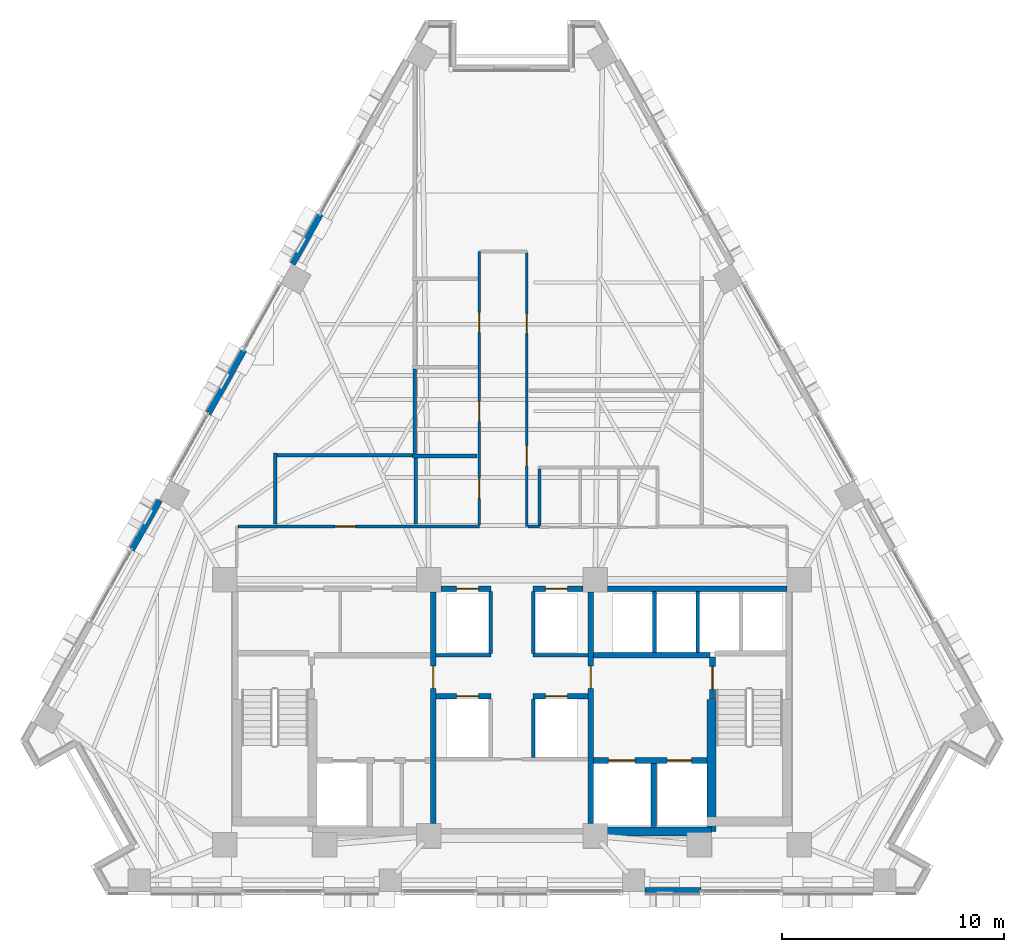
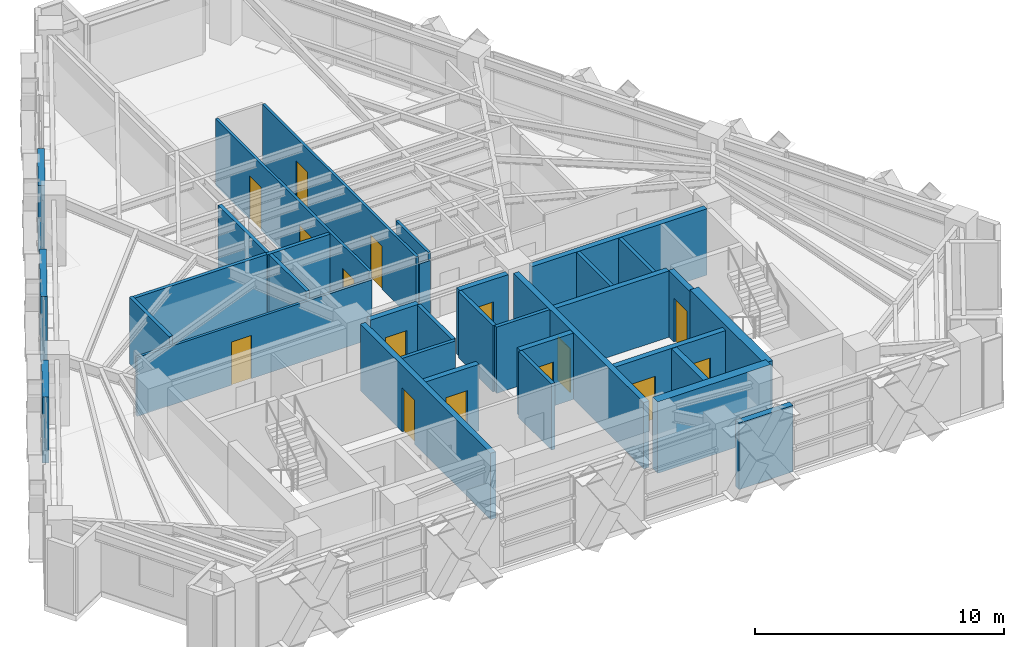
# One storey, part 8 of 14: 34 walls, 15 doors, 15 openings.
"""IFC4 building model written with IfcOpenShell, lengths in metres."""

import ifcopenshell
import ifcopenshell.guid

model = None  # the IFC model being written
_history = None  # IfcOwnerHistory: only IFC2X3 demands one
_inside = {}  # id of a spatial element -> (the spatial element, [elements in it])
_under = {}  # id of a project, library or spatial element -> (it, [spatial elements below it])
_declared = {}  # id of a project -> (the project, [libraries it declares])
_typed = {}  # id of a type object -> (the type object, [elements of that type])
_made_of = {}  # id of a material, layer set ... -> (it, [elements and type objects made of it])


def new_model(schema):
    """Start an empty IFC model of exactly this schema.

    Asked for "IFC4X3", IfcOpenShell would pick the latest addendum, in which some entities
    have other attributes; the version numbers below select the first issue.
    IFC2X3 requires an IfcOwnerHistory on every rooted entity: one is made here for all.
    """
    global model, _history
    if schema == "IFC4X3":
        model = ifcopenshell.file(schema_version=(4, 3, 0, 0))
    else:
        model = ifcopenshell.file(schema=schema)
    _inside.clear()
    _under.clear()
    _declared.clear()
    _typed.clear()
    _made_of.clear()
    _history = None
    if model.schema == "IFC2X3":
        org = make("IfcOrganization", Name="unknown")
        user = make(
            "IfcPersonAndOrganization",
            ThePerson=make("IfcPerson", FamilyName="unknown"),
            TheOrganization=org,
        )
        app = make(
            "IfcApplication",
            ApplicationDeveloper=org,
            Version="unknown",
            ApplicationFullName="unknown",
            ApplicationIdentifier="unknown",
        )
        _history = make(
            "IfcOwnerHistory",
            OwningUser=user,
            OwningApplication=app,
            ChangeAction="ADDED",
            CreationDate=0,
        )
    return model


def make(cls, **values):
    """One entity of the class cls with the attributes given. An attribute that is None is left unset."""
    return model.create_entity(
        cls, **{name: value for name, value in values.items() if value is not None}
    )


def rooted(cls, **values):
    """An entity with a GlobalId (a new one), such as an element, a storey or a relation."""
    return make(cls, GlobalId=ifcopenshell.guid.new(), OwnerHistory=_history, **values)


def si_unit(unit_type, name, prefix=None):
    """IfcSIUnit, for example si_unit("LENGTHUNIT", "METRE", prefix="MILLI")."""
    return make("IfcSIUnit", UnitType=unit_type, Prefix=prefix, Name=name)


def assignment(units):
    """IfcUnitAssignment: the units of a project."""
    return None if units is None else make("IfcUnitAssignment", Units=units)


def point(xyz):
    """IfcCartesianPoint."""
    return None if xyz is None else make("IfcCartesianPoint", Coordinates=xyz)


def direction(xyz):
    """IfcDirection."""
    return None if xyz is None else make("IfcDirection", DirectionRatios=xyz)


def frame(location, z_axis=None, x_axis=None):
    """IfcAxis2Placement3D, a coordinate frame: its origin and axes. An axis left out is left unset."""
    return make(
        "IfcAxis2Placement3D",
        Location=point(location),
        Axis=direction(z_axis),
        RefDirection=direction(x_axis),
    )


def frame_2d(location, x_axis=None):
    """IfcAxis2Placement2D, a coordinate frame in the plane: its origin and x axis."""
    return make(
        "IfcAxis2Placement2D", Location=point(location), RefDirection=direction(x_axis)
    )


def origin():
    """The frame at (0, 0, 0) with its axes left unset."""
    return frame((0.0, 0.0, 0.0))


def place(relative_to, where):
    """IfcLocalPlacement: puts the frame where relative to a parent placement (None: the world)."""
    return make(
        "IfcLocalPlacement", PlacementRelTo=relative_to, RelativePlacement=where
    )


def context(
    kind, dimensions, precision=None, world=None, true_north=None, identifier=None
):
    """IfcGeometricRepresentationContext, for example the 3D "Model" context."""
    return make(
        "IfcGeometricRepresentationContext",
        ContextIdentifier=identifier,
        ContextType=kind,
        CoordinateSpaceDimension=dimensions,
        Precision=precision,
        WorldCoordinateSystem=world,
        TrueNorth=true_north,
    )


def subcontext(parent, identifier, kind, view, scale=None):
    """IfcGeometricRepresentationSubContext, for example "Body" below "Model"."""
    return make(
        "IfcGeometricRepresentationSubContext",
        ContextIdentifier=identifier,
        ContextType=kind,
        ParentContext=parent,
        TargetScale=scale,
        TargetView=view,
    )


def project(units=None, contexts=None):
    """IfcProject with its units and contexts."""
    return rooted(
        "IfcProject",
        Name="project",
        RepresentationContexts=contexts,
        UnitsInContext=assignment(units),
    )


def spatial(cls, under=None, at=None, **own):
    """A site, building, storey or space (cls), placed at a placement, below another one or the project."""
    s = rooted(cls, ObjectPlacement=at, **own)
    if under is not None:
        _under.setdefault(under.id(), (under, []))[1].append(s)
    return s


def profile(cls, at=None, kind="AREA", **sizes):
    """A parametric profile (cls). Its sizes go by their IFC names, for example OverallWidth=200.0."""
    return make(cls, ProfileType=kind, Position=at, **sizes)


def rectangle(**sizes):
    """IfcRectangleProfileDef."""
    return profile("IfcRectangleProfileDef", **sizes)


def extrude(swept, where, along, depth):
    """IfcExtrudedAreaSolid: the profile swept, set in the frame where, extruded along a direction by depth."""
    return make(
        "IfcExtrudedAreaSolid",
        SweptArea=swept,
        Position=where,
        ExtrudedDirection=direction(along),
        Depth=depth,
    )


def shape(context_of_items, identifier, shape_type, items):
    """IfcShapeRepresentation: the items that make up one representation, for example the "Body"."""
    return make(
        "IfcShapeRepresentation",
        ContextOfItems=context_of_items,
        RepresentationIdentifier=identifier,
        RepresentationType=shape_type,
        Items=items,
    )


def material(Name=None, Category=None):
    """IfcMaterial."""
    return make("IfcMaterial", Name=Name, Category=Category)


def layer(
    of_material, thickness, ventilated=None, Name=None, Category=None, Priority=None
):
    """IfcMaterialLayer: one layer of a wall or slab, of a material (None: an air gap)."""
    return make(
        "IfcMaterialLayer",
        Material=of_material,
        LayerThickness=thickness,
        IsVentilated=ventilated,
        Name=Name,
        Category=Category,
        Priority=Priority,
    )


def layer_set(layers, Name=None):
    """IfcMaterialLayerSet."""
    return make("IfcMaterialLayerSet", MaterialLayers=layers, LayerSetName=Name)


def made_of(thing, what):
    """Note that an element or type object is made of a material, layer set ...; save() writes the relation."""
    if what is not None:
        _made_of.setdefault(what.id(), (what, []))[1].append(thing)
    return thing


def type_object(cls, material=None, **own):
    """A type object (cls), such as IfcWallType, which elements share."""
    return made_of(rooted(cls, **own), material)


def element(
    cls,
    number,
    at=None,
    inside=None,
    cuts=None,
    type_object=None,
    material=None,
    context=None,
    identifier="Body",
    shape_type=None,
    held_by="IfcProductDefinitionShape",
    body=None,
    shapes=None,
    **own,
):
    """One element of the class cls, such as IfcWall. Its Tag is "e" and its number.

    at: its placement. inside: the storey or other place that contains it. cuts: it is an
    opening in that element (IfcRelVoidsElement). A single representation is given by context,
    identifier, shape_type and body (its items); several are given by shapes. held_by: the class
    of the entity that holds the representations. save() writes the other relations.
    """
    e = rooted(cls, Tag="e%d" % number, ObjectPlacement=at, **own)
    if body is not None:
        shapes = [shape(context, identifier, shape_type, body)]
    if shapes is not None:
        e.Representation = make(held_by, Representations=shapes)
    if inside is not None:
        _inside.setdefault(inside.id(), (inside, []))[1].append(e)
    if cuts is not None:
        rooted(
            "IfcRelVoidsElement", RelatingBuildingElement=cuts, RelatedOpeningElement=e
        )
    if type_object is not None:
        _typed.setdefault(type_object.id(), (type_object, []))[1].append(e)
    return made_of(e, material)


def fill(opening, filler):
    """IfcRelFillsElement: the door or window that sits in an opening."""
    return rooted(
        "IfcRelFillsElement",
        RelatingOpeningElement=opening,
        RelatedBuildingElement=filler,
    )


def aggregate(whole, parts):
    """IfcRelAggregates: a whole, such as a stair, and the parts it consists of."""
    return rooted("IfcRelAggregates", RelatingObject=whole, RelatedObjects=parts)


def save(model, path):
    """Write the relations noted so far, then the file.

    IfcRelAggregates (storeys below a building ...), IfcRelContainedInSpatialStructure (elements
    in a storey), IfcRelDefinesByType, IfcRelAssociatesMaterial and IfcRelDeclares: one each for
    every whole, place, type object, material and project.
    """
    for whole, parts in _under.values():
        aggregate(whole, parts)
    for where, things in _inside.values():
        rooted(
            "IfcRelContainedInSpatialStructure",
            RelatedElements=things,
            RelatingStructure=where,
        )
    for kind, things in _typed.values():
        rooted("IfcRelDefinesByType", RelatedObjects=things, RelatingType=kind)
    for what, things in _made_of.values():
        rooted("IfcRelAssociatesMaterial", RelatedObjects=things, RelatingMaterial=what)
    for by, libraries in _declared.values():
        rooted("IfcRelDeclares", RelatingContext=by, RelatedDefinitions=libraries)
    model.write(path)


model = new_model("IFC4")

# Units and contexts
model_context = context("Model", 3, precision=1e-05, world=origin(), true_north=direction((0.0, 1.0)))
body_context = subcontext(model_context, "Body", "Model", "MODEL_VIEW")
ifc_project = project(units=[si_unit("LENGTHUNIT", "METRE"), si_unit("AREAUNIT", "SQUARE_METRE"), si_unit("VOLUMEUNIT", "CUBIC_METRE"), si_unit("PLANEANGLEUNIT", "RADIAN"), si_unit("MASSUNIT", "GRAM", prefix="KILO")], contexts=[model_context])

# Site, building, storey
site_placement = place(None, origin())
site = spatial("IfcSite", under=ifc_project, at=site_placement, CompositionType="ELEMENT")
building_placement = place(site_placement, origin())
building = spatial("IfcBuilding", under=site, at=building_placement, Name="Quenlor Broadcast Tower", CompositionType="ELEMENT")
storey_placement = place(building_placement, frame((0.0, 0.0, 144.0)))
storey = spatial("IfcBuildingStorey", under=building, at=storey_placement, Name="L39", CompositionType="ELEMENT", Elevation=144.0)

# Walls
ifc_material_1 = material(Name="Concrete C50/60", Category="concrete")
ifc_layer_1 = layer(ifc_material_1, 0.39990234375)
ifc_layer_set_1 = layer_set([ifc_layer_1], Name="Core Concrete C50/60 Shear Wall 400")
wall_type_1 = type_object("IfcWallType", Name="Core Concrete C50/60 Shear Wall 400", PredefinedType="SHEAR", material=ifc_layer_set_1)
wall_1_placement = place(storey_placement, frame((3.75, -16.14990234375, 0.0), z_axis=(0.0, 0.0, 1.0), x_axis=(1.0, 0.0, 0.0)))
element("IfcWall", 1, at=wall_1_placement, inside=storey, type_object=wall_type_1, Name="L39 Core Shear Wall WS-E1", PredefinedType="SHEAR", context=body_context, shape_type="SweptSolid", body=[
    extrude(rectangle(XDim=5.25, YDim=0.39990234375, at=frame_2d((2.625, 0.0))), origin(), (0.0, 0.0, 1.0), 3.5),
])
wall_2_placement = place(storey_placement, frame((9.0, -16.14990234375, 0.0), z_axis=(0.0, 0.0, 1.0), x_axis=(0.0, 1.0, 0.0)))
element("IfcWall", 2, at=wall_2_placement, inside=storey, type_object=wall_type_1, Name="L39 Core Shear Wall WI-E", PredefinedType="SHEAR", context=body_context, shape_type="SweptSolid", body=[
    extrude(rectangle(XDim=5.949951171875, YDim=0.39990234375, at=frame_2d((2.97509765625, 0.0))), origin(), (0.0, 0.0, 1.0), 3.5),
])

# Wall, opening, door
ifc_material_2 = material(Name="Concrete C40/50", Category="concrete")
ifc_layer_2 = layer(ifc_material_2, 0.25)
ifc_layer_set_2 = layer_set([ifc_layer_2], Name="Fire Rated Concrete C40/50 Core Wall 250")
wall_type_2 = type_object("IfcWallType", Name="Fire Rated Concrete C40/50 Core Wall 250", PredefinedType="PARTITIONING", material=ifc_layer_set_2)
wall_3_placement = place(storey_placement, frame((9.0400390625, -10.179931640625, 0.0), z_axis=(0.0, 0.0, 1.0), x_axis=(0.0, 1.0, 0.0)))
wall_3 = element("IfcWall", 3, at=wall_3_placement, inside=storey, type_object=wall_type_2, Name="L39 Interior Wall CW-ST2-DR", PredefinedType="PARTITIONING", context=body_context, shape_type="SweptSolid", body=[
    extrude(rectangle(XDim=1.89990234375, YDim=0.25, at=frame_2d((0.949951171875, 0.0))), origin(), (0.0, 0.0, 1.0), 3.25),
])
opening_1_placement = place(wall_3_placement, frame((0.419921875, 0.0, 0.0)))
opening_1 = element("IfcOpeningElement", 4, at=opening_1_placement, cuts=wall_3, Name="Opening FD-1", PredefinedType="OPENING", context=body_context, shape_type="SweptSolid", body=[
    extrude(rectangle(XDim=1.050048828125, YDim=2.14990234375, at=frame_2d((0.52490234375, 1.074951171875))), frame((0.0, 0.135009765625, 0.0), z_axis=(0.0, -1.0, 0.0), x_axis=(1.0, 0.0, 0.0)), (0.0, 0.0, 1.0), 0.27001953125),
])
ifc_material_3 = material(Name="Fire Rated Steel Door Leaf", Category="steel")
door_type_1 = type_object("IfcDoorType", Name="Fire Isolated Stair Door 1050x2150", OperationType="NOTDEFINED", PredefinedType="DOOR", material=ifc_material_3)
door_1_placement = place(opening_1_placement, origin())
door_1 = element("IfcDoor", 5, at=door_1_placement, inside=storey, type_object=door_type_1, Name="L39 Door DR-ST2", OperationType="SINGLE_SWING_RIGHT", OverallHeight=2.14990234375, OverallWidth=1.050048828125, PredefinedType="DOOR", context=body_context, shape_type="SweptSolid", body=[
    extrude(rectangle(XDim=1.050048828125, YDim=2.14990234375, at=frame_2d((0.52490234375, 1.074951171875))), frame((0.0, 0.02490234375, 0.0), z_axis=(0.0, -1.0, 0.0), x_axis=(1.0, 0.0, 0.0)), (0.0, 0.0, 1.0), 0.050048828125),
])
fill(opening_1, door_1)

# Wall, openings, doors
wall_4_placement = place(storey_placement, frame((3.679931640625, -12.949951171875, 0.0), z_axis=(0.0, 0.0, 1.0), x_axis=(1.0, 0.0, 0.0)))
wall_4 = element("IfcWall", 6, at=wall_4_placement, inside=storey, type_object=wall_type_2, Name="L39 Interior Wall CW-FFE-S", PredefinedType="PARTITIONING", context=body_context, shape_type="SweptSolid", body=[
    extrude(rectangle(XDim=5.1181640625, YDim=0.25, at=frame_2d((2.55908203125, 0.0))), origin(), (0.0, 0.0, 1.0), 3.25),
])
opening_2_placement = place(wall_4_placement, frame((3.320068359375, 0.0, 0.0)))
opening_2 = element("IfcOpeningElement", 7, at=opening_2_placement, cuts=wall_4, Name="Opening LD-FFL-2", PredefinedType="OPENING", context=body_context, shape_type="SweptSolid", body=[
    extrude(rectangle(XDim=1.10009765625, YDim=2.14990234375, at=frame_2d((0.550048828125, 1.074951171875))), frame((0.0, 0.135009765625, 0.0), z_axis=(0.0, -1.0, 0.0), x_axis=(1.0, 0.0, 0.0)), (0.0, 0.0, 1.0), 0.27001953125),
])
opening_3_placement = place(wall_4_placement, frame((0.669921875, 0.0, 0.0)))
opening_3 = element("IfcOpeningElement", 8, at=opening_3_placement, cuts=wall_4, Name="Opening LD-SVL-1", PredefinedType="OPENING", context=body_context, shape_type="SweptSolid", body=[
    extrude(rectangle(XDim=1.199951171875, YDim=2.14990234375, at=frame_2d((0.60009765625, 1.074951171875))), frame((0.0, 0.135009765625, 0.0), z_axis=(0.0, -1.0, 0.0), x_axis=(1.0, 0.0, 0.0)), (0.0, 0.0, 1.0), 0.27001953125),
])
ifc_material_4 = material(Name="Brushed Stainless Steel", Category="steel")
door_type_2 = type_object("IfcDoorType", Name="Emergency Lift Sliding Landing Door 1100x2150", OperationType="NOTDEFINED", PredefinedType="DOOR", material=ifc_material_4)
door_2_placement = place(opening_2_placement, origin())
door_2 = element("IfcDoor", 9, at=door_2_placement, inside=storey, type_object=door_type_2, Name="L39 Door LD-FFL-2", OperationType="SLIDING_TO_RIGHT", OverallHeight=2.14990234375, OverallWidth=1.10009765625, PredefinedType="DOOR", context=body_context, shape_type="SweptSolid", body=[
    extrude(rectangle(XDim=1.10009765625, YDim=2.14990234375, at=frame_2d((0.550048828125, 1.074951171875))), frame((0.0, 0.02490234375, 0.0), z_axis=(0.0, -1.0, 0.0), x_axis=(1.0, 0.0, 0.0)), (0.0, 0.0, 1.0), 0.050048828125),
])
fill(opening_2, door_2)
ifc_material_5 = material(Name="Brushed Stainless Steel", Category="steel")
door_type_3 = type_object("IfcDoorType", Name="Goods Lift Sliding Landing Door 1200x2150", OperationType="NOTDEFINED", PredefinedType="DOOR", material=ifc_material_5)
door_3_placement = place(opening_3_placement, origin())
door_3 = element("IfcDoor", 10, at=door_3_placement, inside=storey, type_object=door_type_3, Name="L39 Door LD-SVL-1", OperationType="SLIDING_TO_LEFT", OverallHeight=2.14990234375, OverallWidth=1.199951171875, PredefinedType="DOOR", context=body_context, shape_type="SweptSolid", body=[
    extrude(rectangle(XDim=1.199951171875, YDim=2.14990234375, at=frame_2d((0.60009765625, 1.074951171875))), frame((0.0, 0.02490234375, 0.0), z_axis=(0.0, -1.0, 0.0), x_axis=(1.0, 0.0, 0.0)), (0.0, 0.0, 1.0), 0.050048828125),
])
fill(opening_3, door_3)

# Walls
wall_5_placement = place(storey_placement, frame((6.39990234375, -15.919921875, 0.0), z_axis=(0.0, 0.0, 1.0), x_axis=(0.0, 1.0, 0.0)))
element("IfcWall", 11, at=wall_5_placement, inside=storey, type_object=wall_type_2, Name="L39 Interior Wall CW-SV1-E", PredefinedType="PARTITIONING", context=body_context, shape_type="SweptSolid", body=[
    extrude(rectangle(XDim=2.829833984375, YDim=0.25, at=frame_2d((1.4150390625, 0.0))), origin(), (0.0, 0.0, 1.0), 3.25),
])
wall_6_placement = place(storey_placement, frame((3.679931640625, -8.199951171875, 0.0), z_axis=(0.0, 0.0, 1.0), x_axis=(1.0, 0.0, 0.0)))
element("IfcWall", 12, at=wall_6_placement, inside=storey, type_object=wall_type_2, Name="L39 Interior Wall CW-FFE-N", PredefinedType="PARTITIONING", context=body_context, shape_type="SweptSolid", body=[
    extrude(rectangle(XDim=5.239990234375, YDim=0.25, at=frame_2d((2.6201171875, 0.0))), origin(), (0.0, 0.0, 1.0), 3.25),
])

# Wall, opening, door
wall_7_placement = place(storey_placement, frame((-3.550048828125, -15.798095703125, 0.0), z_axis=(0.0, 0.0, 1.0), x_axis=(0.0, 1.0, 0.0)))
wall_7 = element("IfcWall", 13, at=wall_7_placement, inside=storey, type_object=wall_type_2, Name="L39 Interior Wall CW-FFW-E", PredefinedType="PARTITIONING", context=body_context, shape_type="SweptSolid", body=[
    extrude(rectangle(XDim=10.446044921875, YDim=0.25, at=frame_2d((5.22314453125, 0.0))), origin(), (0.0, 0.0, 1.0), 3.25),
])
opening_4_placement = place(wall_7_placement, frame((6.097900390625, 0.0, 0.0)))
opening_4 = element("IfcOpeningElement", 14, at=opening_4_placement, cuts=wall_7, Name="Opening FD-2", PredefinedType="OPENING", context=body_context, shape_type="SweptSolid", body=[
    extrude(rectangle(XDim=1.0, YDim=2.14990234375, at=frame_2d((0.5, 1.074951171875))), frame((0.0, 0.135009765625, 0.0), z_axis=(0.0, -1.0, 0.0), x_axis=(1.0, 0.0, 0.0)), (0.0, 0.0, 1.0), 0.27001953125),
])
ifc_material_6 = material(Name="Fire Rated Glazed Steel Door", Category="steel")
door_type_4 = type_object("IfcDoorType", Name="Firefighting Lobby Smoke Door 1000x2150", OperationType="NOTDEFINED", PredefinedType="DOOR", material=ifc_material_6)
door_4_placement = place(opening_4_placement, origin())
door_4 = element("IfcDoor", 15, at=door_4_placement, inside=storey, type_object=door_type_4, Name="L39 Door DR-FFLW", OperationType="SINGLE_SWING_RIGHT", OverallHeight=2.14990234375, OverallWidth=1.0, PredefinedType="DOOR", context=body_context, shape_type="SweptSolid", body=[
    extrude(rectangle(XDim=1.0, YDim=2.14990234375, at=frame_2d((0.5, 1.074951171875))), frame((0.0, 0.02490234375, 0.0), z_axis=(0.0, -1.0, 0.0), x_axis=(1.0, 0.0, 0.0)), (0.0, 0.0, 1.0), 0.050048828125),
])
fill(opening_4, door_4)

wall_8_placement = place(storey_placement, frame((3.550048828125, -15.798095703125, 0.0), z_axis=(0.0, 0.0, 1.0), x_axis=(0.0, 1.0, 0.0)))
wall_8 = element("IfcWall", 16, at=wall_8_placement, inside=storey, type_object=wall_type_2, Name="L39 Interior Wall CW-FFE-W", PredefinedType="PARTITIONING", context=body_context, shape_type="SweptSolid", body=[
    extrude(rectangle(XDim=10.446044921875, YDim=0.25, at=frame_2d((5.22314453125, 0.0))), origin(), (0.0, 0.0, 1.0), 3.25),
])
opening_5_placement = place(wall_8_placement, frame((6.097900390625, 0.0, 0.0)))
opening_5 = element("IfcOpeningElement", 17, at=opening_5_placement, cuts=wall_8, Name="Opening FD-2", PredefinedType="OPENING", context=body_context, shape_type="SweptSolid", body=[
    extrude(rectangle(XDim=1.0, YDim=2.14990234375, at=frame_2d((0.5, 1.074951171875))), frame((0.0, 0.135009765625, 0.0), z_axis=(0.0, -1.0, 0.0), x_axis=(1.0, 0.0, 0.0)), (0.0, 0.0, 1.0), 0.27001953125),
])
door_5_placement = place(opening_5_placement, origin())
door_5 = element("IfcDoor", 18, at=door_5_placement, inside=storey, type_object=door_type_4, Name="L39 Door DR-FFLE", OperationType="SINGLE_SWING_LEFT", OverallHeight=2.14990234375, OverallWidth=1.0, PredefinedType="DOOR", context=body_context, shape_type="SweptSolid", body=[
    extrude(rectangle(XDim=1.0, YDim=2.14990234375, at=frame_2d((0.5, 1.074951171875))), frame((0.0, 0.02490234375, 0.0), z_axis=(0.0, -1.0, 0.0), x_axis=(1.0, 0.0, 0.0)), (0.0, 0.0, 1.0), 0.050048828125),
])
fill(opening_5, door_5)

# Wall
wall_9_placement = place(storey_placement, frame((4.302001953125, -5.199951171875, 0.0), z_axis=(0.0, 0.0, 1.0), x_axis=(1.0, 0.0, 0.0)))
element("IfcWall", 19, at=wall_9_placement, inside=storey, type_object=wall_type_2, Name="L39 Interior Wall CW-N-E", PredefinedType="PARTITIONING", context=body_context, shape_type="SweptSolid", body=[
    extrude(rectangle(XDim=8.095947265625, YDim=0.25, at=frame_2d((4.0478515625, 0.0))), origin(), (0.0, 0.0, 1.0), 3.25),
])

# Wall, opening, door
wall_10_placement = place(storey_placement, frame((-3.197998046875, -5.199951171875, 0.0), z_axis=(0.0, 0.0, 1.0), x_axis=(1.0, 0.0, 0.0)))
wall_10 = element("IfcWall", 20, at=wall_10_placement, inside=storey, type_object=wall_type_2, Name="L39 Interior Wall CW-N-M1", PredefinedType="PARTITIONING", context=body_context, shape_type="SweptSolid", body=[
    extrude(rectangle(XDim=2.248046875, YDim=0.25, at=frame_2d((1.1240234375, 0.0))), origin(), (0.0, 0.0, 1.0), 3.25),
])
opening_6_placement = place(wall_10_placement, frame((0.697998046875, 0.0, 0.0)))
opening_6 = element("IfcOpeningElement", 21, at=opening_6_placement, cuts=wall_10, Name="Opening LD-PL-M1", PredefinedType="OPENING", context=body_context, shape_type="SweptSolid", body=[
    extrude(rectangle(XDim=1.0, YDim=2.14990234375, at=frame_2d((0.5, 1.074951171875))), frame((0.0, 0.135009765625, 0.0), z_axis=(0.0, -1.0, 0.0), x_axis=(1.0, 0.0, 0.0)), (0.0, 0.0, 1.0), 0.27001953125),
])
ifc_material_7 = material(Name="Brushed Stainless Steel", Category="steel")
door_type_5 = type_object("IfcDoorType", Name="Passenger Lift Sliding Landing Door 1000x2150", OperationType="NOTDEFINED", PredefinedType="DOOR", material=ifc_material_7)
door_6_placement = place(opening_6_placement, origin())
door_6 = element("IfcDoor", 22, at=door_6_placement, inside=storey, type_object=door_type_5, Name="L39 Door LD-PL-M1", OperationType="SLIDING_TO_LEFT", OverallHeight=2.14990234375, OverallWidth=1.0, PredefinedType="DOOR", context=body_context, shape_type="SweptSolid", body=[
    extrude(rectangle(XDim=1.0, YDim=2.14990234375, at=frame_2d((0.5, 1.074951171875))), frame((0.0, 0.02490234375, 0.0), z_axis=(0.0, -1.0, 0.0), x_axis=(1.0, 0.0, 0.0)), (0.0, 0.0, 1.0), 0.050048828125),
])
fill(opening_6, door_6)

wall_11_placement = place(storey_placement, frame((0.949951171875, -5.199951171875, 0.0), z_axis=(0.0, 0.0, 1.0), x_axis=(1.0, 0.0, 0.0)))
wall_11 = element("IfcWall", 23, at=wall_11_placement, inside=storey, type_object=wall_type_2, Name="L39 Interior Wall CW-N-M2", PredefinedType="PARTITIONING", context=body_context, shape_type="SweptSolid", body=[
    extrude(rectangle(XDim=2.248046875, YDim=0.25, at=frame_2d((1.1240234375, 0.0))), origin(), (0.0, 0.0, 1.0), 3.25),
])
opening_7_placement = place(wall_11_placement, frame((0.550048828125, 0.0, 0.0)))
opening_7 = element("IfcOpeningElement", 24, at=opening_7_placement, cuts=wall_11, Name="Opening LD-PL-M2", PredefinedType="OPENING", context=body_context, shape_type="SweptSolid", body=[
    extrude(rectangle(XDim=1.0, YDim=2.14990234375, at=frame_2d((0.5, 1.074951171875))), frame((0.0, 0.135009765625, 0.0), z_axis=(0.0, -1.0, 0.0), x_axis=(1.0, 0.0, 0.0)), (0.0, 0.0, 1.0), 0.27001953125),
])
door_7_placement = place(opening_7_placement, origin())
door_7 = element("IfcDoor", 25, at=door_7_placement, inside=storey, type_object=door_type_5, Name="L39 Door LD-PL-M2", OperationType="SLIDING_TO_RIGHT", OverallHeight=2.14990234375, OverallWidth=1.0, PredefinedType="DOOR", context=body_context, shape_type="SweptSolid", body=[
    extrude(rectangle(XDim=1.0, YDim=2.14990234375, at=frame_2d((0.5, 1.074951171875))), frame((0.0, 0.02490234375, 0.0), z_axis=(0.0, -1.0, 0.0), x_axis=(1.0, 0.0, 0.0)), (0.0, 0.0, 1.0), 0.050048828125),
])
fill(opening_7, door_7)

wall_12_placement = place(storey_placement, frame((-3.419921875, -10.050048828125, 0.0), z_axis=(0.0, 0.0, 1.0), x_axis=(1.0, 0.0, 0.0)))
wall_12 = element("IfcWall", 26, at=wall_12_placement, inside=storey, type_object=wall_type_2, Name="L39 Interior Wall CW-MS-N1", PredefinedType="PARTITIONING", context=body_context, shape_type="SweptSolid", body=[
    extrude(rectangle(XDim=2.469970703125, YDim=0.25, at=frame_2d((1.23486328125, 0.0))), origin(), (0.0, 0.0, 1.0), 3.25),
])
opening_8_placement = place(wall_12_placement, frame((0.919921875, 0.0, 0.0)))
opening_8 = element("IfcOpeningElement", 27, at=opening_8_placement, cuts=wall_12, Name="Opening LD-PL-M3", PredefinedType="OPENING", context=body_context, shape_type="SweptSolid", body=[
    extrude(rectangle(XDim=1.0, YDim=2.14990234375, at=frame_2d((0.5, 1.074951171875))), frame((0.0, 0.135009765625, 0.0), z_axis=(0.0, -1.0, 0.0), x_axis=(1.0, 0.0, 0.0)), (0.0, 0.0, 1.0), 0.27001953125),
])
door_8_placement = place(opening_8_placement, origin())
door_8 = element("IfcDoor", 28, at=door_8_placement, inside=storey, type_object=door_type_5, Name="L39 Door LD-PL-M3", OperationType="SLIDING_TO_LEFT", OverallHeight=2.14990234375, OverallWidth=1.0, PredefinedType="DOOR", context=body_context, shape_type="SweptSolid", body=[
    extrude(rectangle(XDim=1.0, YDim=2.14990234375, at=frame_2d((0.5, 1.074951171875))), frame((0.0, 0.02490234375, 0.0), z_axis=(0.0, -1.0, 0.0), x_axis=(1.0, 0.0, 0.0)), (0.0, 0.0, 1.0), 0.050048828125),
])
fill(opening_8, door_8)

wall_13_placement = place(storey_placement, frame((0.949951171875, -10.050048828125, 0.0), z_axis=(0.0, 0.0, 1.0), x_axis=(1.0, 0.0, 0.0)))
wall_13 = element("IfcWall", 29, at=wall_13_placement, inside=storey, type_object=wall_type_2, Name="L39 Interior Wall CW-MS-N2", PredefinedType="PARTITIONING", context=body_context, shape_type="SweptSolid", body=[
    extrude(rectangle(XDim=2.469970703125, YDim=0.25, at=frame_2d((1.23486328125, 0.0))), origin(), (0.0, 0.0, 1.0), 3.25),
])
opening_9_placement = place(wall_13_placement, frame((0.550048828125, 0.0, 0.0)))
opening_9 = element("IfcOpeningElement", 30, at=opening_9_placement, cuts=wall_13, Name="Opening LD-PL-M4", PredefinedType="OPENING", context=body_context, shape_type="SweptSolid", body=[
    extrude(rectangle(XDim=1.0, YDim=2.14990234375, at=frame_2d((0.5, 1.074951171875))), frame((0.0, 0.135009765625, 0.0), z_axis=(0.0, -1.0, 0.0), x_axis=(1.0, 0.0, 0.0)), (0.0, 0.0, 1.0), 0.27001953125),
])
door_9_placement = place(opening_9_placement, origin())
door_9 = element("IfcDoor", 31, at=door_9_placement, inside=storey, type_object=door_type_5, Name="L39 Door LD-PL-M4", OperationType="SLIDING_TO_RIGHT", OverallHeight=2.14990234375, OverallWidth=1.0, PredefinedType="DOOR", context=body_context, shape_type="SweptSolid", body=[
    extrude(rectangle(XDim=1.0, YDim=2.14990234375, at=frame_2d((0.5, 1.074951171875))), frame((0.0, 0.02490234375, 0.0), z_axis=(0.0, -1.0, 0.0), x_axis=(1.0, 0.0, 0.0)), (0.0, 0.0, 1.0), 0.050048828125),
])
fill(opening_9, door_9)

# Walls
ifc_material_8 = material(Name="Gypsum Fireboard Partition", Category="other")
ifc_layer_3 = layer(ifc_material_8, 0.159912109375)
ifc_layer_set_3 = layer_set([ifc_layer_3], Name="Fire Rated Shaft and Corridor Partition 160")
wall_type_3 = type_object("IfcWallType", Name="Fire Rated Shaft and Corridor Partition 160", PredefinedType="PARTITIONING", material=ifc_layer_set_3)
for number, where, z_axis, x_axis, name in (
    (32, (6.425048828125, -8.072998046875, 0.0), (0.0, 0.0, 1.0), (0.0, 1.0, 0.0), "L39 Interior Wall CW-PLH-D1"),
    (33, (8.375, -8.072998046875, 0.0), (0.0, 0.0, 1.0), (0.0, 1.0, 0.0), "L39 Interior Wall CW-PLH-D2"),
):
    element("IfcWall", number, at=place(storey_placement, frame(where, z_axis=z_axis, x_axis=x_axis)), inside=storey, type_object=wall_type_3, Name=name, PredefinedType="PARTITIONING", context=body_context, shape_type="SweptSolid", body=[
        extrude(rectangle(XDim=2.73291015625, YDim=0.159912109375, at=frame_2d((1.366455078125, 0.0))), origin(), (0.0, 0.0, 1.0), 3.25),
    ])
for number, where, z_axis, x_axis, name in (
    (34, (-0.949951171875, -8.1201171875, 0.0), (0.0, 0.0, 1.0), (0.0, 1.0, 0.0), "L39 Interior Wall CW-CCRP-W"),
    (35, (0.949951171875, -8.1201171875, 0.0), (0.0, 0.0, 1.0), (0.0, 1.0, 0.0), "L39 Interior Wall CW-CCRP-E"),
):
    element("IfcWall", number, at=place(storey_placement, frame(where, z_axis=z_axis, x_axis=x_axis)), inside=storey, type_object=wall_type_3, Name=name, PredefinedType="PARTITIONING", context=body_context, shape_type="SweptSolid", body=[
        extrude(rectangle(XDim=2.780029296875, YDim=0.159912109375, at=frame_2d((1.39013671875, 0.0))), origin(), (0.0, 0.0, 1.0), 3.25),
    ])
for number, where, z_axis, x_axis, name in (
    (36, (-3.419921875, -8.199951171875, 0.0), (0.0, 0.0, 1.0), (1.0, 0.0, 0.0), "L39 Interior Wall CW-M-BACK1"),
    (37, (0.949951171875, -8.199951171875, 0.0), (0.0, 0.0, 1.0), (1.0, 0.0, 0.0), "L39 Interior Wall CW-M-BACK2"),
):
    element("IfcWall", number, at=place(storey_placement, frame(where, z_axis=z_axis, x_axis=x_axis)), inside=storey, type_object=wall_type_3, Name=name, PredefinedType="PARTITIONING", context=body_context, shape_type="SweptSolid", body=[
        extrude(rectangle(XDim=2.469970703125, YDim=0.159912109375, at=frame_2d((1.23486328125, 0.0))), origin(), (0.0, 0.0, 1.0), 3.25),
    ])
wall_14_placement = place(storey_placement, frame((0.949951171875, -12.818115234375, 0.0), z_axis=(0.0, 0.0, 1.0), x_axis=(0.0, 1.0, 0.0)))
element("IfcWall", 38, at=wall_14_placement, inside=storey, type_object=wall_type_3, Name="L39 Interior Wall CW-MS-E", PredefinedType="PARTITIONING", context=body_context, shape_type="SweptSolid", body=[
    extrude(rectangle(XDim=2.63818359375, YDim=0.159912109375, at=frame_2d((1.319091796875, 0.0))), origin(), (0.0, 0.0, 1.0), 3.25),
])
wall_15_placement = place(storey_placement, frame((-1.580078125, 0.780029296875, 0.0), z_axis=(0.0, 0.0, 1.0), x_axis=(-1.0, 0.0, 0.0)))
element("IfcWall", 39, at=wall_15_placement, inside=storey, type_object=wall_type_3, Name="L39 Interior Wall PW-DV-07", PredefinedType="PARTITIONING", context=body_context, shape_type="SweptSolid", body=[
    extrude(rectangle(XDim=2.89990234375, YDim=0.159912109375, at=frame_2d((1.449951171875, 0.0))), origin(), (0.0, 0.0, 1.0), 3.25),
])
wall_16_placement = place(storey_placement, frame((-4.3798828125, 0.862060546875, 0.0), z_axis=(0.0, 0.0, 1.0), x_axis=(0.0, 1.0, 0.0)))
element("IfcWall", 40, at=wall_16_placement, inside=storey, type_object=wall_type_3, Name="L39 Interior Wall PW-DV-08", PredefinedType="PARTITIONING", context=body_context, shape_type="SweptSolid", body=[
    extrude(rectangle(XDim=3.8359375, YDim=0.159912109375, at=frame_2d((1.91796875, 0.0))), origin(), (0.0, 0.0, 1.0), 3.25),
])
wall_17_placement = place(storey_placement, frame((-4.340087890625, 0.697998046875, 0.0), z_axis=(0.0, 0.0, 1.0), x_axis=(0.0, -1.0, 0.0)))
element("IfcWall", 41, at=wall_17_placement, inside=storey, type_object=wall_type_3, Name="L39 Interior Wall PW-DV-11", PredefinedType="PARTITIONING", context=body_context, shape_type="SweptSolid", body=[
    extrude(rectangle(XDim=2.988037109375, YDim=0.159912109375, at=frame_2d((1.494140625, 0.0))), origin(), (0.0, 0.0, 1.0), 3.25),
])
wall_18_placement = place(storey_placement, frame((-10.679931640625, -2.2900390625, 0.0), z_axis=(0.0, 0.0, 1.0), x_axis=(0.0, 1.0, 0.0)))
element("IfcWall", 42, at=wall_18_placement, inside=storey, type_object=wall_type_3, Name="L39 Interior Wall PW-DV-12", PredefinedType="PARTITIONING", context=body_context, shape_type="SweptSolid", body=[
    extrude(rectangle(XDim=3.2099609375, YDim=0.159912109375, at=frame_2d((1.60498046875, 0.0))), origin(), (0.0, 0.0, 1.0), 3.25),
])
wall_19_placement = place(storey_placement, frame((-10.597900390625, 0.820068359375, 0.0), z_axis=(0.0, 0.0, 1.0), x_axis=(1.0, 0.0, 0.0)))
element("IfcWall", 43, at=wall_19_placement, inside=storey, type_object=wall_type_3, Name="L39 Interior Wall PW-DV-13", PredefinedType="PARTITIONING", context=body_context, shape_type="SweptSolid", body=[
    extrude(rectangle(XDim=6.115966796875, YDim=0.159912109375, at=frame_2d((3.05810546875, 0.0))), origin(), (0.0, 0.0, 1.0), 3.25),
])
ifc_material_9 = material(Name="Gypsum Plasterboard Partition", Category="other")
ifc_layer_4 = layer(ifc_material_9, 0.1201171875)
ifc_layer_set_4 = layer_set([ifc_layer_4], Name="Standard Office Partition 120")
wall_type_4 = type_object("IfcWallType", Name="Standard Office Partition 120", PredefinedType="PARTITIONING", material=ifc_layer_set_4)
wall_20_placement = place(storey_placement, frame((1.239990234375, -2.3779296875, 0.0), z_axis=(0.0, 0.0, 1.0), x_axis=(0.0, 1.0, 0.0)))
element("IfcWall", 44, at=wall_20_placement, inside=storey, type_object=wall_type_4, Name="L39 Interior Wall PW-WC-W", PredefinedType="PARTITIONING", context=body_context, shape_type="SweptSolid", body=[
    extrude(rectangle(XDim=2.575927734375, YDim=0.1201171875, at=frame_2d((1.2880859375, 0.0))), origin(), (0.0, 0.0, 1.0), 3.25),
])

# Wall, opening, door
wall_21_placement = place(storey_placement, frame((-12.347900390625, -2.39990234375, 0.0), z_axis=(0.0, 0.0, 1.0), x_axis=(1.0, 0.0, 0.0)))
wall_21 = element("IfcWall", 45, at=wall_21_placement, inside=storey, type_object=wall_type_4, Name="L39 Interior Wall PW-CR-02", PredefinedType="PARTITIONING", context=body_context, shape_type="SweptSolid", body=[
    extrude(rectangle(XDim=10.8779296875, YDim=0.1201171875, at=frame_2d((5.43896484375, 0.0))), origin(), (0.0, 0.0, 1.0), 2.891357421875),
])
opening_10_placement = place(wall_21_placement, frame((4.3779296875, 0.0, 0.0)))
opening_10 = element("IfcOpeningElement", 46, at=opening_10_placement, cuts=wall_21, Name="Opening ID-1", PredefinedType="OPENING", context=body_context, shape_type="SweptSolid", body=[
    extrude(rectangle(XDim=0.919921875, YDim=2.1201171875, at=frame_2d((0.4599609375, 1.06005859375))), frame((0.0, 0.070068359375, 0.0), z_axis=(0.0, -1.0, 0.0), x_axis=(1.0, 0.0, 0.0)), (0.0, 0.0, 1.0), 0.14013671875),
])
ifc_material_10 = material(Name="Solid Core Timber Oak", Category="wood")
door_type_6 = type_object("IfcDoorType", Name="Single Leaf Timber Office Door 920x2120", OperationType="NOTDEFINED", PredefinedType="DOOR", material=ifc_material_10)
door_10_placement = place(opening_10_placement, origin())
door_10 = element("IfcDoor", 47, at=door_10_placement, inside=storey, type_object=door_type_6, Name="L39 Door DR-RM05", OperationType="SINGLE_SWING_RIGHT", OverallHeight=2.1201171875, OverallWidth=0.919921875, PredefinedType="DOOR", context=body_context, shape_type="SweptSolid", body=[
    extrude(rectangle(XDim=0.919921875, YDim=2.1201171875, at=frame_2d((0.4599609375, 1.06005859375))), frame((0.0, 0.02490234375, 0.0), z_axis=(0.0, -1.0, 0.0), x_axis=(1.0, 0.0, 0.0)), (0.0, 0.0, 1.0), 0.050048828125),
])
fill(opening_10, door_10)

# Wall, openings, doors
wall_22_placement = place(storey_placement, frame((-1.469970703125, -2.337890625, 0.0), z_axis=(0.0, 0.0, 1.0), x_axis=(0.0, 1.0, 0.0)))
wall_22 = element("IfcWall", 48, at=wall_22_placement, inside=storey, type_object=wall_type_4, Name="L39 Interior Wall PW-CR-03", PredefinedType="PARTITIONING", context=body_context, shape_type="SweptSolid", body=[
    extrude(rectangle(XDim=12.337890625, YDim=0.1201171875, at=frame_2d((6.1689453125, 0.0))), origin(), (0.0, 0.0, 1.0), 3.25),
])
opening_11_placement = place(wall_22_placement, frame((8.677978515625, 0.0, 0.0)))
opening_11 = element("IfcOpeningElement", 49, at=opening_11_placement, cuts=wall_22, Name="Opening ID-1", PredefinedType="OPENING", context=body_context, shape_type="SweptSolid", body=[
    extrude(rectangle(XDim=0.919921875, YDim=2.1201171875, at=frame_2d((0.4599609375, 1.06005859375))), frame((0.0, 0.070068359375, 0.0), z_axis=(0.0, -1.0, 0.0), x_axis=(1.0, 0.0, 0.0)), (0.0, 0.0, 1.0), 0.14013671875),
])
opening_12_placement = place(wall_22_placement, frame((4.677978515625, 0.0, 0.0)))
opening_12 = element("IfcOpeningElement", 50, at=opening_12_placement, cuts=wall_22, Name="Opening ID-1", PredefinedType="OPENING", context=body_context, shape_type="SweptSolid", body=[
    extrude(rectangle(XDim=0.919921875, YDim=2.1201171875, at=frame_2d((0.4599609375, 1.06005859375))), frame((0.0, 0.070068359375, 0.0), z_axis=(0.0, -1.0, 0.0), x_axis=(1.0, 0.0, 0.0)), (0.0, 0.0, 1.0), 0.14013671875),
])
opening_13_placement = place(wall_22_placement, frame((1.197021484375, 0.0, 0.0)))
opening_13 = element("IfcOpeningElement", 51, at=opening_13_placement, cuts=wall_22, Name="Opening ID-1", PredefinedType="OPENING", context=body_context, shape_type="SweptSolid", body=[
    extrude(rectangle(XDim=0.919921875, YDim=2.1201171875, at=frame_2d((0.4599609375, 1.06005859375))), frame((0.0, 0.070068359375, 0.0), z_axis=(0.0, -1.0, 0.0), x_axis=(1.0, 0.0, 0.0)), (0.0, 0.0, 1.0), 0.14013671875),
])
door_11_placement = place(opening_11_placement, origin())
door_11 = element("IfcDoor", 52, at=door_11_placement, inside=storey, type_object=door_type_6, Name="L39 Door DR-RM02", OperationType="SINGLE_SWING_LEFT", OverallHeight=2.1201171875, OverallWidth=0.919921875, PredefinedType="DOOR", context=body_context, shape_type="SweptSolid", body=[
    extrude(rectangle(XDim=0.919921875, YDim=2.1201171875, at=frame_2d((0.4599609375, 1.06005859375))), frame((0.0, 0.02490234375, 0.0), z_axis=(0.0, -1.0, 0.0), x_axis=(1.0, 0.0, 0.0)), (0.0, 0.0, 1.0), 0.050048828125),
])
fill(opening_11, door_11)
door_12_placement = place(opening_12_placement, origin())
door_12 = element("IfcDoor", 53, at=door_12_placement, inside=storey, type_object=door_type_6, Name="L39 Door DR-RM03", OperationType="SINGLE_SWING_RIGHT", OverallHeight=2.1201171875, OverallWidth=0.919921875, PredefinedType="DOOR", context=body_context, shape_type="SweptSolid", body=[
    extrude(rectangle(XDim=0.919921875, YDim=2.1201171875, at=frame_2d((0.4599609375, 1.06005859375))), frame((0.0, 0.02490234375, 0.0), z_axis=(0.0, -1.0, 0.0), x_axis=(1.0, 0.0, 0.0)), (0.0, 0.0, 1.0), 0.050048828125),
])
fill(opening_12, door_12)
door_13_placement = place(opening_13_placement, origin())
door_13 = element("IfcDoor", 54, at=door_13_placement, inside=storey, type_object=door_type_6, Name="L39 Door DR-RM06", OperationType="SINGLE_SWING_LEFT", OverallHeight=2.1201171875, OverallWidth=0.919921875, PredefinedType="DOOR", context=body_context, shape_type="SweptSolid", body=[
    extrude(rectangle(XDim=0.919921875, YDim=2.1201171875, at=frame_2d((0.4599609375, 1.06005859375))), frame((0.0, 0.02490234375, 0.0), z_axis=(0.0, -1.0, 0.0), x_axis=(1.0, 0.0, 0.0)), (0.0, 0.0, 1.0), 0.050048828125),
])
fill(opening_13, door_13)

wall_23_placement = place(storey_placement, frame((0.669921875, 9.93798828125, 0.0), z_axis=(0.0, 0.0, 1.0), x_axis=(0.0, -1.0, 0.0)))
wall_23 = element("IfcWall", 55, at=wall_23_placement, inside=storey, type_object=wall_type_4, Name="L39 Interior Wall PW-CR-05", PredefinedType="PARTITIONING", context=body_context, shape_type="SweptSolid", body=[
    extrude(rectangle(XDim=12.337890625, YDim=0.1201171875, at=frame_2d((6.1689453125, 0.0))), origin(), (0.0, 0.0, 1.0), 3.25),
])
opening_14_placement = place(wall_23_placement, frame((2.721923828125, 0.0, 0.0)))
opening_14 = element("IfcOpeningElement", 56, at=opening_14_placement, cuts=wall_23, Name="Opening ID-1", PredefinedType="OPENING", context=body_context, shape_type="SweptSolid", body=[
    extrude(rectangle(XDim=0.919921875, YDim=2.1201171875, at=frame_2d((0.4599609375, 1.06005859375))), frame((0.0, 0.070068359375, 0.0), z_axis=(0.0, -1.0, 0.0), x_axis=(1.0, 0.0, 0.0)), (0.0, 0.0, 1.0), 0.14013671875),
])
opening_15_placement = place(wall_23_placement, frame((8.68408203125, 0.0, 0.0)))
opening_15 = element("IfcOpeningElement", 57, at=opening_15_placement, cuts=wall_23, Name="Opening ID-1", PredefinedType="OPENING", context=body_context, shape_type="SweptSolid", body=[
    extrude(rectangle(XDim=0.919921875, YDim=2.1201171875, at=frame_2d((0.4599609375, 1.06005859375))), frame((0.0, 0.070068359375, 0.0), z_axis=(0.0, -1.0, 0.0), x_axis=(1.0, 0.0, 0.0)), (0.0, 0.0, 1.0), 0.14013671875),
])
door_14_placement = place(opening_14_placement, origin())
door_14 = element("IfcDoor", 58, at=door_14_placement, inside=storey, type_object=door_type_6, Name="L39 Door DR-RM01", OperationType="SINGLE_SWING_RIGHT", OverallHeight=2.1201171875, OverallWidth=0.919921875, PredefinedType="DOOR", context=body_context, shape_type="SweptSolid", body=[
    extrude(rectangle(XDim=0.919921875, YDim=2.1201171875, at=frame_2d((0.4599609375, 1.06005859375))), frame((0.0, 0.02490234375, 0.0), z_axis=(0.0, -1.0, 0.0), x_axis=(1.0, 0.0, 0.0)), (0.0, 0.0, 1.0), 0.050048828125),
])
fill(opening_14, door_14)
door_15_placement = place(opening_15_placement, origin())
door_15 = element("IfcDoor", 59, at=door_15_placement, inside=storey, type_object=door_type_6, Name="L39 Door DR-RM04", OperationType="SINGLE_SWING_LEFT", OverallHeight=2.1201171875, OverallWidth=0.919921875, PredefinedType="DOOR", context=body_context, shape_type="SweptSolid", body=[
    extrude(rectangle(XDim=0.919921875, YDim=2.1201171875, at=frame_2d((0.4599609375, 1.06005859375))), frame((0.0, 0.02490234375, 0.0), z_axis=(0.0, -1.0, 0.0), x_axis=(1.0, 0.0, 0.0)), (0.0, 0.0, 1.0), 0.050048828125),
])
fill(opening_15, door_15)

# Walls
wall_24_placement = place(storey_placement, frame((0.73193359375, -2.39990234375, 0.0), z_axis=(0.0, 0.0, 1.0), x_axis=(1.0, 0.0, 0.0)))
element("IfcWall", 60, at=wall_24_placement, inside=storey, type_object=wall_type_4, Name="L39 Interior Wall PW-CR-06", PredefinedType="PARTITIONING", context=body_context, shape_type="SweptSolid", body=[
    extrude(rectangle(XDim=0.506103515625, YDim=0.1201171875, at=frame_2d((0.2529296875, 0.0))), origin(), (0.0, 0.0, 1.0), 2.891357421875),
])
ifc_material_11 = material(Name="Precast concrete C40/50", Category="concrete")
ifc_layer_5 = layer(ifc_material_11, 0.280029296875)
ifc_layer_set_5 = layer_set([ifc_layer_5], Name="Terracotta Precast Concrete C40/50 Facade Wall 280")
wall_type_5 = type_object("IfcWallType", Name="Terracotta Precast Concrete C40/50 Facade Wall 280", PredefinedType="STANDARD", material=ifc_layer_set_5)
wall_25_placement = place(storey_placement, frame((8.514892578125, -18.824951171875, 0.0), z_axis=(0.0, 0.0, 1.0), x_axis=(-1.0, 0.0, 0.0)))
element("IfcWall", 61, at=wall_25_placement, inside=storey, type_object=wall_type_5, Name="L39 Exterior Wall L39-SA-SP2", PredefinedType="STANDARD", context=body_context, shape_type="SweptSolid", body=[
    extrude(rectangle(XDim=2.5087890625, YDim=0.280029296875, at=frame_2d((1.25439453125, 0.0))), origin(), (0.0, 0.0, 1.0), 3.25),
])
for number, where, z_axis, x_axis, name in (
    (62, (-17.154296875, -3.453369140625, 0.0), (0.0, 0.0, 1.0), (0.490229640206, 0.871593311048, 0.0), "L39 Exterior Wall L39-NWA-SP2"),
    (63, (-9.899658203125, 9.44384765625, 0.0), (0.0, 0.0, 1.0), (0.490301864627, 0.871552684319, 0.0), "L39 Exterior Wall L39-NWC-SP1"),
):
    element("IfcWall", number, at=place(storey_placement, frame(where, z_axis=z_axis, x_axis=x_axis)), inside=storey, type_object=wall_type_5, Name=name, PredefinedType="STANDARD", context=body_context, shape_type="SweptSolid", body=[
        extrude(rectangle(XDim=2.56787109375, YDim=0.280029296875, at=frame_2d((1.283935546875, 0.0))), origin(), (0.0, 0.0, 1.0), 3.25),
    ])
wall_26_placement = place(storey_placement, frame((-13.706298828125, 2.676513671875, 0.0), z_axis=(0.0, 0.0, 1.0), x_axis=(0.490285834707, 0.871561701938, 0.0)))
element("IfcWall", 64, at=wall_26_placement, inside=storey, type_object=wall_type_5, Name="L39 Exterior Wall L39-NW-SP1", PredefinedType="STANDARD", context=body_context, shape_type="SweptSolid", body=[
    extrude(rectangle(XDim=3.299072265625, YDim=0.280029296875, at=frame_2d((1.6494140625, 0.0))), origin(), (0.0, 0.0, 1.0), 3.25),
])

save(model, "model.ifc")
